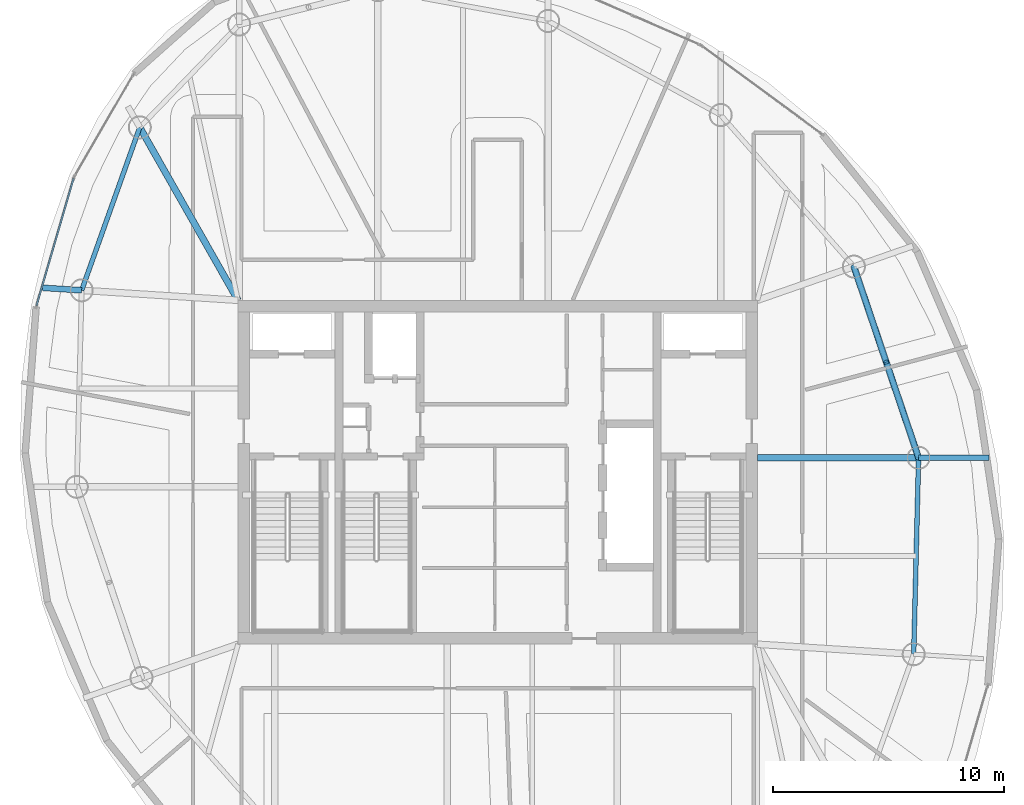
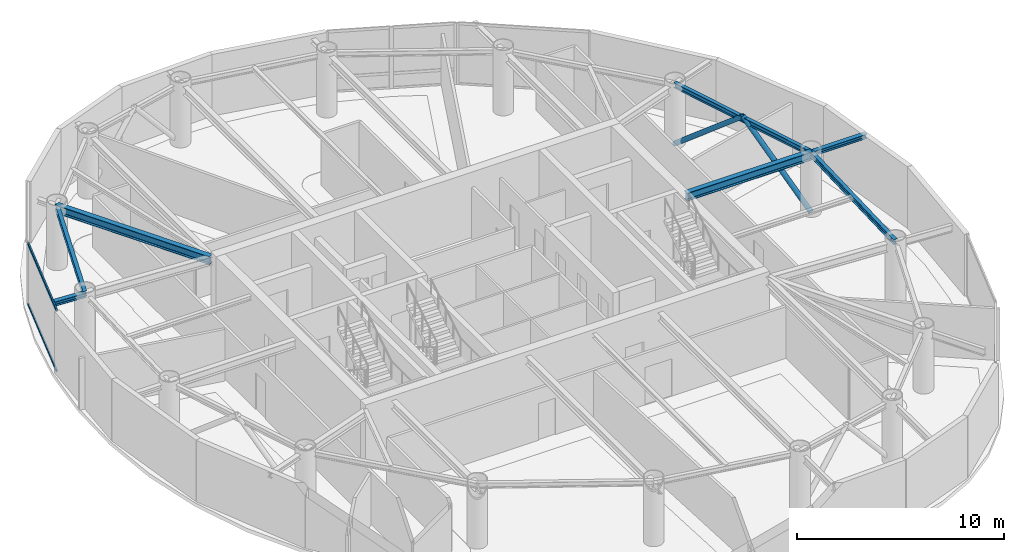
# One storey, part 9 of 20: 7 beams, 4 members, 1 element without a shape of its own.
"""IFC4 building model written with IfcOpenShell, lengths in metres."""

from ifc_helpers import new_model, si_unit, direction, frame, origin, origin_2d, place, context, subcontext, project, spatial, hollow_rectangle, hollow_circle, i_section, extrude, material, layer, layer_set, material_profile, profile_set, type_object, element, aggregate, save


model = new_model("IFC4")

# Units and contexts
model_context = context("Model", 3, precision=1e-05, world=origin(), true_north=direction((0.0, 1.0)))
body_context = subcontext(model_context, "Body", "Model", "MODEL_VIEW")
ifc_project = project(units=[si_unit("LENGTHUNIT", "METRE"), si_unit("AREAUNIT", "SQUARE_METRE"), si_unit("VOLUMEUNIT", "CUBIC_METRE"), si_unit("PLANEANGLEUNIT", "RADIAN"), si_unit("MASSUNIT", "GRAM", prefix="KILO")], contexts=[model_context])

# Site, building, storey
site_placement = place(None, origin())
site = spatial("IfcSite", under=ifc_project, at=site_placement, CompositionType="ELEMENT")
building_placement = place(site_placement, origin())
building = spatial("IfcBuilding", under=site, at=building_placement, Name="Bramvorn Convention Spire", CompositionType="ELEMENT")
storey_placement = place(building_placement, frame((0.0, 0.0, 269.0)))
storey = spatial("IfcBuildingStorey", under=building, at=storey_placement, Name="L68", CompositionType="ELEMENT", Elevation=269.0)

# Beams
ifc_material_1 = material(Name="Steel CSA G40.21 Grade 350 (350W)", Category="steel")
ifc_material_profile_1 = material_profile(ifc_material_1, i_section(OverallWidth=0.25390625, OverallDepth=0.2529296875, WebThickness=0.008544921875, FlangeThickness=0.01416015625, FilletRadius=0.011962890625, at=origin_2d()))
ifc_profile_set_1 = profile_set([ifc_material_profile_1], Name="Steel CSA G40.21 Grade 350 (350W) - W250X73")
beam_type_1 = type_object("IfcBeamType", Name="BM-W250X73", PredefinedType="BEAM", material=ifc_profile_set_1)
beam_1_placement = place(storey_placement, frame((56.234619140625, 26.62939453125, 3.45849609375), z_axis=(1.0, 0.0, 0.0), x_axis=(0.0, 1.0, 0.0)))
element("IfcBeam", 1, at=beam_1_placement, inside=storey, type_object=beam_type_1, Name="L68 slab-edge cantilever tip beam MC04", PredefinedType="BEAM", context=body_context, shape_type="SweptSolid", body=[
    extrude(i_section(OverallWidth=0.25390625, OverallDepth=0.2529296875, WebThickness=0.008544921875, FlangeThickness=0.01416015625, FilletRadius=0.011962890625, at=origin_2d()), origin(), (0.0, 0.0, 1.0), 3.055419921875),
])
beam_2_placement = place(storey_placement, frame((19.976318359375, 33.883544921875, 3.45849609375), z_axis=(-0.997960693936, 0.063831444905, 0.0), x_axis=(-0.063831444905, -0.997960693936, 0.0)))
element("IfcBeam", 2, at=beam_2_placement, inside=storey, type_object=beam_type_1, Name="L68 slab-edge cantilever tip beam MC11", PredefinedType="BEAM", context=body_context, shape_type="SweptSolid", body=[
    extrude(i_section(OverallWidth=0.25390625, OverallDepth=0.2529296875, WebThickness=0.008544921875, FlangeThickness=0.01416015625, FilletRadius=0.011962890625, at=origin_2d()), origin(), (0.0, 0.0, 1.0), 1.6943359375),
])
ifc_material_profile_2 = material_profile(ifc_material_1, i_section(OverallWidth=0.202880859375, OverallDepth=0.302978515625, WebThickness=0.007568359375, FlangeThickness=0.01318359375, FilletRadius=0.013916015625, at=origin_2d()))
ifc_profile_set_2 = profile_set([ifc_material_profile_2], Name="Steel CSA G40.21 Grade 350 (350W) - W310X60")
beam_type_2 = type_object("IfcBeamType", Name="BM-W310X60", PredefinedType="JOIST", material=ifc_profile_set_2)
beam_3_placement = place(storey_placement, frame((56.023681640625, 18.116455078125, 3.473388671875), z_axis=(0.024770853371, 0.999693155335, 0.0), x_axis=(-0.999693155335, 0.024770853371, 0.0)))
element("IfcBeam", 3, at=beam_3_placement, inside=storey, type_object=beam_type_2, Name="L68 mega-column ring beam 03", PredefinedType="JOIST", context=body_context, shape_type="SweptSolid", body=[
    extrude(i_section(OverallWidth=0.202880859375, OverallDepth=0.302978515625, WebThickness=0.007568359375, FlangeThickness=0.01318359375, FilletRadius=0.013916015625, at=origin_2d()), origin(), (0.0, 0.0, 1.0), 8.515625),
])
beam_4_placement = place(storey_placement, frame((56.234619140625, 26.62939453125, 3.473388671875), z_axis=(-0.320531023763, 0.947238018032, 0.0), x_axis=(-0.947238018032, -0.320531023763, 0.0)))
element("IfcBeam", 4, at=beam_4_placement, inside=storey, type_object=beam_type_2, Name="L68 mega-column ring beam 04", PredefinedType="JOIST", context=body_context, shape_type="SweptSolid", body=[
    extrude(i_section(OverallWidth=0.202880859375, OverallDepth=0.302978515625, WebThickness=0.007568359375, FlangeThickness=0.01318359375, FilletRadius=0.013916015625, at=origin_2d()), origin(), (0.0, 0.0, 1.0), 8.74169921875),
])
beam_5_placement = place(storey_placement, frame((22.49365234375, 40.94384765625, 3.473388671875), z_axis=(-0.335839090413, -0.941919373063, 0.0), x_axis=(0.941919373063, -0.335839090413, 0.0)))
element("IfcBeam", 5, at=beam_5_placement, inside=storey, type_object=beam_type_2, Name="L68 mega-column ring beam 10", PredefinedType="JOIST", context=body_context, shape_type="SweptSolid", body=[
    extrude(i_section(OverallWidth=0.202880859375, OverallDepth=0.302978515625, WebThickness=0.007568359375, FlangeThickness=0.01318359375, FilletRadius=0.013916015625, at=origin_2d()), origin(), (0.0, 0.0, 1.0), 7.49560546875),
])
ifc_material_profile_3 = material_profile(ifc_material_1, i_section(OverallWidth=0.283935546875, OverallDepth=0.47607421875, WebThickness=0.014892578125, FlangeThickness=0.02392578125, FilletRadius=0.01806640625, at=origin_2d()))
ifc_profile_set_3 = profile_set([ifc_material_profile_3], Name="Steel CSA G40.21 Grade 350 (350W) - W460X158")
beam_type_3 = type_object("IfcBeamType", Name="BM-W460X158", PredefinedType="SPANDREL", material=ifc_profile_set_3)
beam_6_placement = place(storey_placement, frame((49.25, 26.62939453125, 3.386962890625), z_axis=(1.0, 0.0, 0.0), x_axis=(0.0, 1.0, 0.0)))
element("IfcBeam", 6, at=beam_6_placement, inside=storey, type_object=beam_type_3, Name="L68 radial floor girder MC04", PredefinedType="SPANDREL", context=body_context, shape_type="SweptSolid", body=[
    extrude(i_section(OverallWidth=0.283935546875, OverallDepth=0.47607421875, WebThickness=0.014892578125, FlangeThickness=0.02392578125, FilletRadius=0.01806640625, at=origin_2d()), origin(), (0.0, 0.0, 1.0), 6.984619140625),
])
beam_7_placement = place(storey_placement, frame((26.75, 33.449951171875, 3.386962890625), z_axis=(-0.493873612118, 0.869533699895, 0.0), x_axis=(-0.869533699895, -0.493873612118, 0.0)))
element("IfcBeam", 7, at=beam_7_placement, inside=storey, type_object=beam_type_3, Name="L68 radial floor girder MC10", PredefinedType="SPANDREL", context=body_context, shape_type="SweptSolid", body=[
    extrude(i_section(OverallWidth=0.283935546875, OverallDepth=0.47607421875, WebThickness=0.014892578125, FlangeThickness=0.02392578125, FilletRadius=0.01806640625, at=origin_2d()), origin(), (0.0, 0.0, 1.0), 8.618408203125),
])

# Curtain wall, members
ifc_material_2 = material(Name="Anodised Bronze Unitised Curtain Wall", Category="aluminium")
ifc_layer = layer(ifc_material_2, 0.179931640625)
ifc_layer_set = layer_set([ifc_layer], Name="Anodised Bronze Unitised Curtain Wall - CW-OFF-FRIT")
curtain_wall_type = type_object("IfcCurtainWallType", Name="CW-OFF-FRIT", PredefinedType="USERDEFINED", material=ifc_layer_set)
curtain_wall_placement = place(storey_placement, origin())
curtain_wall = element("IfcCurtainWall", 8, at=curtain_wall_placement, inside=storey, type_object=curtain_wall_type, Name="L68 fritted glass curtain wall 15", ObjectType="UNITISED CURTAIN WALL", PredefinedType="USERDEFINED")
ifc_material_3 = material(Name="Anodised Bronze Aluminium 6063-T6", Category="aluminium")
ifc_material_profile_4 = material_profile(ifc_material_3, hollow_rectangle(XDim=0.080078125, YDim=0.159912109375, WallThickness=0.00390625, InnerFilletRadius=0.0009765625, OuterFilletRadius=0.00390625, at=origin_2d()))
ifc_profile_set_4 = profile_set([ifc_material_profile_4], Name="Anodised Bronze Aluminium 6063-T6 - CWT80X160")
member_type_1 = type_object("IfcMemberType", Name="CW-TRN-150", PredefinedType="USERDEFINED", material=ifc_profile_set_4)
member_1_placement = place(storey_placement, frame((18.02099609375, 33.222412109375, 0.030029296875), z_axis=(0.279913434537, 0.960025244025, 0.0), x_axis=(-0.960025244025, 0.279913434537, 0.0)))
member_1 = element("IfcMember", 9, at=member_1_placement, type_object=member_type_1, Name="CW3 transom 1.1", ObjectType="TRANSOM", PredefinedType="USERDEFINED", context=body_context, shape_type="SweptSolid", body=[
    extrude(hollow_rectangle(XDim=0.080078125, YDim=0.159912109375, WallThickness=0.00390625, InnerFilletRadius=0.0009765625, OuterFilletRadius=0.00390625, at=origin_2d()), origin(), (0.0, 0.0, 1.0), 5.739990234375),
])
member_2_placement = place(storey_placement, frame((18.02099609375, 33.222412109375, 3.594970703125), z_axis=(0.279913434537, 0.960025244025, 0.0), x_axis=(-0.960025244025, 0.279913434537, 0.0)))
member_2 = element("IfcMember", 10, at=member_2_placement, type_object=member_type_1, Name="CW3 transom 1.2", ObjectType="TRANSOM", PredefinedType="USERDEFINED", context=body_context, shape_type="SweptSolid", body=[
    extrude(hollow_rectangle(XDim=0.080078125, YDim=0.159912109375, WallThickness=0.00390625, InnerFilletRadius=0.0009765625, OuterFilletRadius=0.00390625, at=origin_2d()), origin(), (0.0, 0.0, 1.0), 5.739990234375),
])
aggregate(curtain_wall, [member_1, member_2])

# Members
ifc_material_profile_5 = material_profile(ifc_material_1, hollow_circle(Radius=0.136474609375, WallThickness=0.0126953125, at=origin_2d()))
ifc_profile_set_5 = profile_set([ifc_material_profile_5], Name="Steel CSA G40.21 Grade 350 (350W) - CHS273X13")
member_type_2 = type_object("IfcMemberType", Name="MBR-CHS273X13", PredefinedType="BRACE", material=ifc_profile_set_5)
member_3_placement = place(storey_placement, frame((56.234619140625, 26.62939453125, 0.0), z_axis=(-0.246737306961, 0.729119705305, 0.638361305759), x_axis=(-0.947232407912, -0.320547602394, 0.0)))
element("IfcMember", 11, at=member_3_placement, inside=storey, type_object=member_type_2, Name="L68 perimeter Gothic lancet brace 4A", PredefinedType="BRACE", context=body_context, shape_type="SweptSolid", body=[
    extrude(hollow_circle(Radius=0.136474609375, WallThickness=0.0126953125, at=origin_2d()), origin(), (0.0, 0.0, 1.0), 5.6787109375),
])
member_4_placement = place(storey_placement, frame((53.4326171875, 34.909912109375, 0.0), z_axis=(0.246704664157, -0.729107301286, 0.638388088778), x_axis=(0.947243628259, 0.320514443859, 0.0)))
element("IfcMember", 12, at=member_4_placement, inside=storey, type_object=member_type_2, Name="L68 perimeter Gothic lancet brace 4B", PredefinedType="BRACE", context=body_context, shape_type="SweptSolid", body=[
    extrude(hollow_circle(Radius=0.136474609375, WallThickness=0.0126953125, at=origin_2d()), origin(), (0.0, 0.0, 1.0), 5.678466796875),
])

save(model, "model.ifc")
